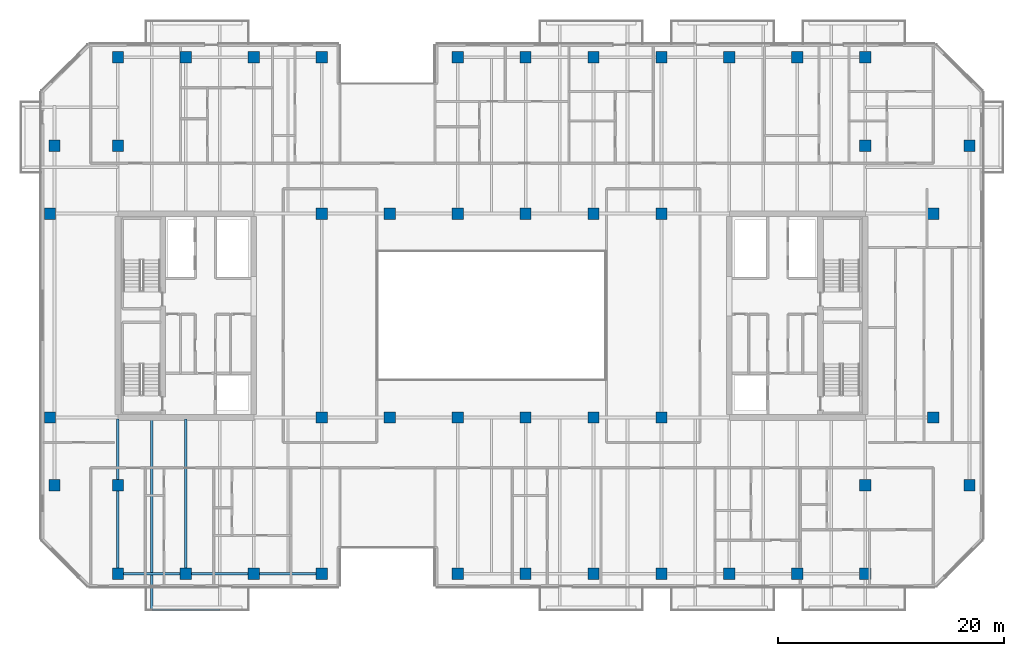
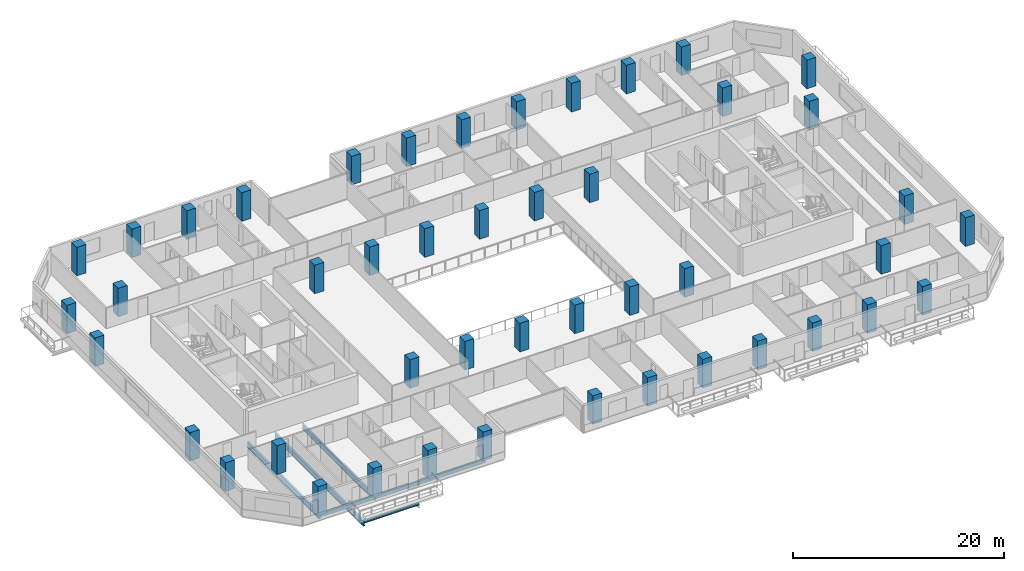
# One storey, part 1 of 23: 46 columns, 7 beams.
"""IFC4 building model written with IfcOpenShell, lengths in metres."""

from ifc_helpers import new_model, si_unit, direction, frame, origin, origin_2d, place, context, subcontext, project, spatial, rectangle, hollow_rectangle, i_section, extrude, material, material_profile, profile_set, type_object, element, save


model = new_model("IFC4")

# Units and contexts
model_context = context("Model", 3, precision=1e-05, world=origin(), true_north=direction((0.0, 1.0)))
body_context = subcontext(model_context, "Body", "Model", "MODEL_VIEW")
ifc_project = project(units=[si_unit("LENGTHUNIT", "METRE"), si_unit("AREAUNIT", "SQUARE_METRE"), si_unit("VOLUMEUNIT", "CUBIC_METRE"), si_unit("PLANEANGLEUNIT", "RADIAN"), si_unit("MASSUNIT", "GRAM", prefix="KILO")], contexts=[model_context])

# Site, building, storey
site_placement = place(None, origin())
site = spatial("IfcSite", under=ifc_project, at=site_placement, CompositionType="ELEMENT")
building_placement = place(site_placement, origin())
building = spatial("IfcBuilding", under=site, at=building_placement, Name="Tanjung Sevakor Pilgrim Tower", CompositionType="ELEMENT")
storey_placement = place(building_placement, frame((0.0, 0.0, 88.77001953125)))
storey = spatial("IfcBuildingStorey", under=building, at=storey_placement, Name="L24", CompositionType="ELEMENT", Elevation=88.77001953125)

# Columns
ifc_material_1 = material(Name="Concrete C60/75", Category="concrete")
ifc_material_profile_1 = material_profile(ifc_material_1, rectangle(XDim=1.0, YDim=1.0, at=origin_2d()))
ifc_profile_set_1 = profile_set([ifc_material_profile_1], Name="Concrete C60/75")
column_type = type_object("IfcColumnType", Name="COL-C-T1000-RC_1000x1000", PredefinedType="COLUMN", material=ifc_profile_set_1)
for number, where, z_axis, x_axis, name in (
    (1, (18.0, 24.60009765625, 0.0), (0.0, 0.0, 1.0), (1.0, 0.0, 0.0), "L24 Column SPW-018-246"),
    (2, (18.0, 42.60009765625, 0.0), (0.0, 0.0, 1.0), (1.0, 0.0, 0.0), "L24 Column SPW-018-426"),
    (3, (42.0, 24.60009765625, 0.0), (0.0, 0.0, 1.0), (1.0, 0.0, 0.0), "L24 Column SPW-042-246"),
    (4, (42.0, 42.60009765625, 0.0), (0.0, 0.0, 1.0), (1.0, 0.0, 0.0), "L24 Column SPW-042-426"),
    (5, (48.0, 24.60009765625, 0.0), (0.0, 0.0, 1.0), (1.0, 0.0, 0.0), "L24 Column SPW-048-246"),
    (6, (48.0, 42.60009765625, 0.0), (0.0, 0.0, 1.0), (1.0, 0.0, 0.0), "L24 Column SPW-048-426"),
    (7, (54.0, 24.60009765625, 0.0), (0.0, 0.0, 1.0), (1.0, 0.0, 0.0), "L24 Column SPE-054-246"),
    (8, (54.0, 42.60009765625, 0.0), (0.0, 0.0, 1.0), (1.0, 0.0, 0.0), "L24 Column SPE-054-426"),
    (9, (60.0, 24.60009765625, 0.0), (0.0, 0.0, 1.0), (1.0, 0.0, 0.0), "L24 Column SPE-060-246"),
    (10, (60.0, 42.60009765625, 0.0), (0.0, 0.0, 1.0), (1.0, 0.0, 0.0), "L24 Column SPE-060-426"),
    (11, (66.0, 24.60009765625, 0.0), (0.0, 0.0, 1.0), (1.0, 0.0, 0.0), "L24 Column SPE-066-246"),
    (12, (66.0, 42.60009765625, 0.0), (0.0, 0.0, 1.0), (1.0, 0.0, 0.0), "L24 Column SPE-066-426"),
    (13, (72.0, 24.60009765625, 0.0), (0.0, 0.0, 1.0), (1.0, 0.0, 0.0), "L24 Column SPE-072-246"),
    (14, (72.0, 42.60009765625, 0.0), (0.0, 0.0, 1.0), (1.0, 0.0, 0.0), "L24 Column SPE-072-426"),
    (15, (96.0, 24.60009765625, 0.0), (0.0, 0.0, 1.0), (1.0, 0.0, 0.0), "L24 Column SPE-096-246"),
    (16, (96.0, 42.60009765625, 0.0), (0.0, 0.0, 1.0), (1.0, 0.0, 0.0), "L24 Column SPE-096-426"),
    (17, (18.39990234375, 18.60009765625, 0.0), (0.0, 0.0, 1.0), (1.0, 0.0, 0.0), "L24 Column TCE-0184-186"),
    (18, (18.39990234375, 48.60009765625, 0.0), (0.0, 0.0, 1.0), (1.0, 0.0, 0.0), "L24 Column TCE-0184-486"),
    (19, (24.0, 18.60009765625, 0.0), (0.0, 0.0, 1.0), (1.0, 0.0, 0.0), "L24 Column TCE-0240-186"),
    (20, (24.0, 48.60009765625, 0.0), (0.0, 0.0, 1.0), (1.0, 0.0, 0.0), "L24 Column TCE-0240-486"),
    (21, (90.0, 18.60009765625, 0.0), (0.0, 0.0, 1.0), (1.0, 0.0, 0.0), "L24 Column TCE-0900-186"),
    (22, (90.0, 48.60009765625, 0.0), (0.0, 0.0, 1.0), (1.0, 0.0, 0.0), "L24 Column TCE-0900-486"),
    (23, (99.199951171875, 18.60009765625, 0.0), (0.0, 0.0, 1.0), (1.0, 0.0, 0.0), "L24 Column TCE-0992-186"),
    (24, (99.199951171875, 48.60009765625, 0.0), (0.0, 0.0, 1.0), (1.0, 0.0, 0.0), "L24 Column TCE-0992-486"),
    (25, (24.0, 10.800048828125, 0.0), (0.0, 0.0, 1.0), (1.0, 0.0, 0.0), "L24 Column TC2-024-108"),
    (26, (24.0, 56.39990234375, 0.0), (0.0, 0.0, 1.0), (1.0, 0.0, 0.0), "L24 Column TC2-024-564"),
    (27, (30.0, 10.800048828125, 0.0), (0.0, 0.0, 1.0), (1.0, 0.0, 0.0), "L24 Column TC2-030-108"),
    (28, (30.0, 56.39990234375, 0.0), (0.0, 0.0, 1.0), (1.0, 0.0, 0.0), "L24 Column TC2-030-564"),
    (29, (36.0, 10.800048828125, 0.0), (0.0, 0.0, 1.0), (1.0, 0.0, 0.0), "L24 Column TC2-036-108"),
    (30, (36.0, 56.39990234375, 0.0), (0.0, 0.0, 1.0), (1.0, 0.0, 0.0), "L24 Column TC2-036-564"),
    (31, (42.0, 10.800048828125, 0.0), (0.0, 0.0, 1.0), (1.0, 0.0, 0.0), "L24 Column TC2-042-108"),
    (32, (42.0, 56.39990234375, 0.0), (0.0, 0.0, 1.0), (1.0, 0.0, 0.0), "L24 Column TC2-042-564"),
    (33, (54.0, 10.800048828125, 0.0), (0.0, 0.0, 1.0), (1.0, 0.0, 0.0), "L24 Column TC2-054-108"),
    (34, (54.0, 56.39990234375, 0.0), (0.0, 0.0, 1.0), (1.0, 0.0, 0.0), "L24 Column TC2-054-564"),
    (35, (60.0, 10.800048828125, 0.0), (0.0, 0.0, 1.0), (1.0, 0.0, 0.0), "L24 Column TC2-060-108"),
    (36, (60.0, 56.39990234375, 0.0), (0.0, 0.0, 1.0), (1.0, 0.0, 0.0), "L24 Column TC2-060-564"),
    (37, (66.0, 10.800048828125, 0.0), (0.0, 0.0, 1.0), (1.0, 0.0, 0.0), "L24 Column TC2-066-108"),
    (38, (66.0, 56.39990234375, 0.0), (0.0, 0.0, 1.0), (1.0, 0.0, 0.0), "L24 Column TC2-066-564"),
    (39, (72.0, 10.800048828125, 0.0), (0.0, 0.0, 1.0), (1.0, 0.0, 0.0), "L24 Column TC2-072-108"),
    (40, (72.0, 56.39990234375, 0.0), (0.0, 0.0, 1.0), (1.0, 0.0, 0.0), "L24 Column TC2-072-564"),
    (41, (78.0, 10.800048828125, 0.0), (0.0, 0.0, 1.0), (1.0, 0.0, 0.0), "L24 Column TC2-078-108"),
    (42, (78.0, 56.39990234375, 0.0), (0.0, 0.0, 1.0), (1.0, 0.0, 0.0), "L24 Column TC2-078-564"),
    (43, (84.0, 10.800048828125, 0.0), (0.0, 0.0, 1.0), (1.0, 0.0, 0.0), "L24 Column TC2-084-108"),
    (44, (84.0, 56.39990234375, 0.0), (0.0, 0.0, 1.0), (1.0, 0.0, 0.0), "L24 Column TC2-084-564"),
    (45, (90.0, 10.800048828125, 0.0), (0.0, 0.0, 1.0), (1.0, 0.0, 0.0), "L24 Column TC2-090-108"),
    (46, (90.0, 56.39990234375, 0.0), (0.0, 0.0, 1.0), (1.0, 0.0, 0.0), "L24 Column TC2-090-564"),
):
    element("IfcColumn", number, at=place(storey_placement, frame(where, z_axis=z_axis, x_axis=x_axis)), inside=storey, type_object=column_type, Name=name, PredefinedType="COLUMN", context=body_context, shape_type="SweptSolid", body=[
        extrude(rectangle(XDim=1.0, YDim=1.0, at=origin_2d()), origin(), (0.0, 0.0, 1.0), 3.300048828125),
    ])

# Beams
ifc_material_2 = material(Name="Steel S355J2", Category="steel")
ifc_material_profile_2 = material_profile(ifc_material_2, i_section(OverallWidth=0.230224609375, OverallDepth=0.6171875, WebThickness=0.01318359375, FlangeThickness=0.022216796875, FilletRadius=0.0126953125, at=origin_2d()))
ifc_profile_set_2 = profile_set([ifc_material_profile_2], Name="Steel S355J2")
beam_type_1 = type_object("IfcBeamType", Name="BM-B-G3-UB_610x229x140", PredefinedType="BEAM", material=ifc_profile_set_2)
for number, where, z_axis, x_axis, name in (
    (47, (24.0, 10.800048828125, -0.528564453125), (0.0, 1.0, 0.0), (-1.0, 0.0, 0.0), "L24 MAIN Girder 001"),
    (48, (30.0, 10.800048828125, -0.528564453125), (0.0, 1.0, 0.0), (-1.0, 0.0, 0.0), "L24 MAIN Girder 003"),
):
    element("IfcBeam", number, at=place(storey_placement, frame(where, z_axis=z_axis, x_axis=x_axis)), inside=storey, type_object=beam_type_1, Name=name, PredefinedType="BEAM", context=body_context, shape_type="SweptSolid", body=[
        extrude(i_section(OverallWidth=0.230224609375, OverallDepth=0.6171875, WebThickness=0.01318359375, FlangeThickness=0.022216796875, FilletRadius=0.0126953125, at=origin_2d()), origin(), (0.0, 0.0, 1.0), 13.672607421875),
    ])
ifc_material_3 = material(Name="Steel S355J2", Category="steel")
ifc_material_profile_3 = material_profile(ifc_material_3, i_section(OverallWidth=0.22900390625, OverallDepth=0.6123046875, WebThickness=0.011962890625, FlangeThickness=0.01953125, FilletRadius=0.0126953125, at=origin_2d()))
ifc_profile_set_3 = profile_set([ifc_material_profile_3], Name="Steel S355J2")
beam_type_2 = type_object("IfcBeamType", Name="BM-B-G4-UB_610x229x125", PredefinedType="BEAM", material=ifc_profile_set_3)
beam_1_placement = place(storey_placement, frame((27.0, 24.47265625, -0.526123046875), z_axis=(0.0, -1.0, 0.0), x_axis=(1.0, 0.0, 0.0)))
element("IfcBeam", 49, at=beam_1_placement, inside=storey, type_object=beam_type_2, Name="L24 Balcony Cantilever Beam MAIN-S1-1", PredefinedType="BEAM", context=body_context, shape_type="SweptSolid", body=[
    extrude(i_section(OverallWidth=0.22900390625, OverallDepth=0.6123046875, WebThickness=0.011962890625, FlangeThickness=0.01953125, FilletRadius=0.0126953125, at=origin_2d()), origin(), (0.0, 0.0, 1.0), 16.8525390625),
])
ifc_material_4 = material(Name="Steel S355J2", Category="steel")
ifc_material_profile_4 = material_profile(ifc_material_4, i_section(OverallWidth=0.146484375, OverallDepth=0.256103515625, WebThickness=0.00634765625, FlangeThickness=0.010986328125, FilletRadius=0.007568359375, at=origin_2d()))
ifc_profile_set_4 = profile_set([ifc_material_profile_4], Name="Steel S355J2")
beam_type_3 = type_object("IfcBeamType", Name="BM-B-J6-UB_254x146x37", PredefinedType="JOIST", material=ifc_profile_set_4)
beam_2_placement = place(storey_placement, frame((27.0, 7.6201171875, -0.328125), z_axis=(1.0, 0.0, 0.0), x_axis=(0.0, 1.0, 0.0)))
element("IfcBeam", 50, at=beam_2_placement, inside=storey, type_object=beam_type_3, Name="L24 Balcony Rim Tie MAIN-S1", PredefinedType="JOIST", context=body_context, shape_type="SweptSolid", body=[
    extrude(i_section(OverallWidth=0.146484375, OverallDepth=0.256103515625, WebThickness=0.00634765625, FlangeThickness=0.010986328125, FilletRadius=0.007568359375, at=origin_2d()), origin(), (0.0, 0.0, 1.0), 6.0),
])
ifc_material_5 = material(Name="Steel S355J2", Category="steel")
ifc_material_profile_5 = material_profile(ifc_material_5, hollow_rectangle(XDim=0.199951171875, YDim=0.39990234375, WallThickness=0.01611328125, at=origin_2d()))
ifc_profile_set_5 = profile_set([ifc_material_profile_5], Name="Steel S355J2")
beam_type_4 = type_object("IfcBeamType", Name="BM-B-SP2-RHS_400x200x16", PredefinedType="SPANDREL", material=ifc_profile_set_5)
for number, where, z_axis, x_axis, name in (
    (51, (24.0, 10.800048828125, -0.419921875), (1.0, 0.0, 0.0), (0.0, 1.0, 0.0), "L24 Spandrel MAIN S-01"),
    (52, (30.0, 10.800048828125, -0.419921875), (1.0, 0.0, 0.0), (0.0, 1.0, 0.0), "L24 Spandrel MAIN S-03"),
    (53, (36.0, 10.800048828125, -0.419921875), (1.0, 0.0, 0.0), (0.0, 1.0, 0.0), "L24 Spandrel MAIN S-05"),
):
    element("IfcBeam", number, at=place(storey_placement, frame(where, z_axis=z_axis, x_axis=x_axis)), inside=storey, type_object=beam_type_4, Name=name, PredefinedType="SPANDREL", context=body_context, shape_type="SweptSolid", body=[
        extrude(hollow_rectangle(XDim=0.199951171875, YDim=0.39990234375, WallThickness=0.01611328125, at=origin_2d()), origin(), (0.0, 0.0, 1.0), 6.0),
    ])

save(model, "model.ifc")
